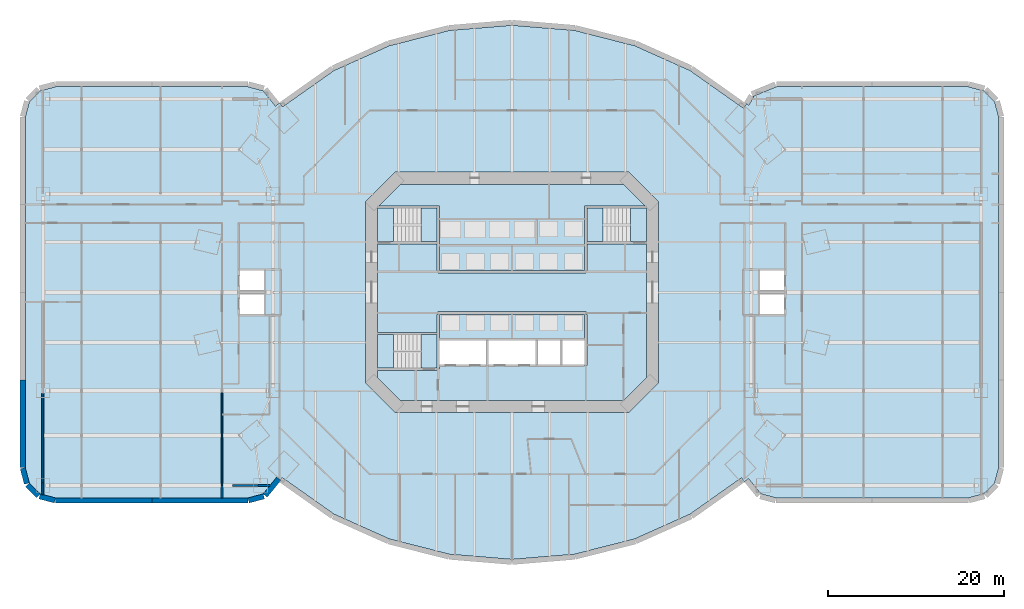
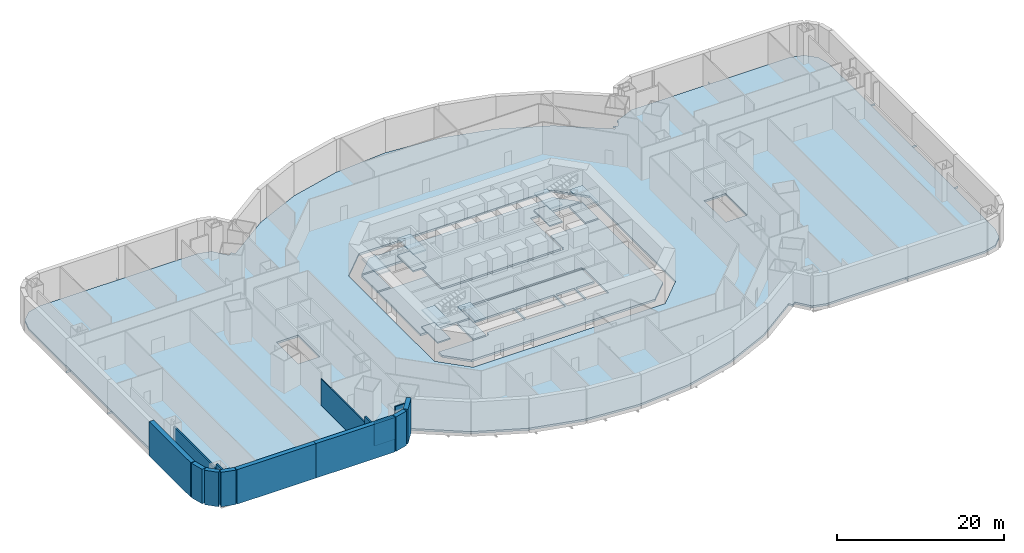
# One storey, part 2 of 11: 15 slabs, 14 walls, 3 elements without a shape of their own.
"""IFC4 building model written with IfcOpenShell, lengths in metres."""

from ifc_helpers import new_model, si_unit, direction, frame, frame_2d, origin, place, context, subcontext, project, spatial, polyline, rectangle, outline, extrude, material, layer, layer_set, type_object, element, aggregate, save


model = new_model("IFC4")

# Units and contexts
model_context = context("Model", 3, precision=1e-05, world=origin(), true_north=direction((0.0, 1.0)))
body_context = subcontext(model_context, "Body", "Model", "MODEL_VIEW")
ifc_project = project(units=[si_unit("LENGTHUNIT", "METRE"), si_unit("AREAUNIT", "SQUARE_METRE"), si_unit("VOLUMEUNIT", "CUBIC_METRE"), si_unit("PLANEANGLEUNIT", "RADIAN"), si_unit("MASSUNIT", "GRAM", prefix="KILO")], contexts=[model_context])

# Site, building, storey
site_placement = place(None, origin())
site = spatial("IfcSite", under=ifc_project, at=site_placement, CompositionType="ELEMENT")
building_placement = place(site_placement, origin())
building = spatial("IfcBuilding", under=site, at=building_placement, Name="Marenthal Gate Tower", CompositionType="ELEMENT")
storey_placement = place(building_placement, frame((0.0, 0.0, -5.0)))
storey = spatial("IfcBuildingStorey", under=building, at=storey_placement, Name="B1", CompositionType="ELEMENT", Elevation=-5.0)

# Slabs
ifc_material_1 = material(Name="Concrete 35 MPa", Category="concrete")
ifc_layer_1 = layer(ifc_material_1, 0.300048828125)
ifc_layer_set_1 = layer_set([ifc_layer_1], Name="BASEMENT FLOOR 300")
slab_type_1 = type_object("IfcSlabType", Name="BASEMENT FLOOR 300", PredefinedType="FLOOR", material=ifc_layer_set_1)
slab_1_placement = place(storey_placement, frame((0.0, 0.0, -0.300048828125)))
element("IfcSlab", 1, at=slab_1_placement, inside=storey, type_object=slab_type_1, Name="SL-B1-11", PredefinedType="FLOOR", context=body_context, shape_type="SweptSolid", body=[
    extrude(outline(polyline([(30.05908203125, -23.39990234375), (28.322998046875, -22.9375), (28.322998046875, -22.9375), (26.916748046875, -21.198486328125), (26.45166015625, -21.574462890625), (26.12353515625, -21.110107421875), (20.26025390625, -25.251953125), (13.9619140625, -28.072509765625), (7.119384765625, -29.811279296875), (7.119384765625, -29.811279296875), (0.0, -30.39892578125), (-7.119384765625, -29.811279296875), (-13.9619140625, -28.072509765625), (-13.9619140625, -28.072509765625), (-20.26025390625, -25.251953125), (-26.149169921875, -21.092041015625), (-26.494140625, -21.580322265625), (-26.936279296875, -21.22265625), (-28.322998046875, -22.9375), (-30.05908203125, -23.39990234375), (-40.99951171875, -23.39990234375), (-40.99951171875, -24.0), (-41.0, -24.0), (-41.0, -23.39990234375), (-51.94091796875, -23.39990234375), (-53.693603515625, -22.932861328125), (-54.932861328125, -21.693603515625), (-55.39990234375, -19.94091796875), (-55.39990234375, -9.99072265625), (-56.0, -9.99072265625), (-56.0, -9.990234375), (-55.39990234375, -9.990234375), (-55.39990234375, -0.00048828125), (-56.0, -0.00048828125), (-56.0, 0.0), (-55.39990234375, 0.0), (-55.39990234375, 9.98974609375), (-56.0, 9.98974609375), (-56.0, 9.990234375), (-55.39990234375, 9.990234375), (-55.39990234375, 19.94091796875), (-54.932861328125, 21.693603515625), (-54.932861328125, 21.693603515625), (-53.693603515625, 22.932861328125), (-51.94091796875, 23.39990234375), (-51.94091796875, 23.39990234375), (-41.00048828125, 23.39990234375), (-41.00048828125, 24.0), (-41.0, 24.0), (-41.0, 23.39990234375), (-30.05908203125, 23.39990234375), (-28.322998046875, 22.9375), (-28.322998046875, 22.9375), (-26.916748046875, 21.198486328125), (-26.45166015625, 21.574462890625), (-26.12353515625, 21.110107421875), (-20.26025390625, 25.251953125), (-13.9619140625, 28.072509765625), (-7.119384765625, 29.811279296875), (-7.119384765625, 29.811279296875), (0.0, 30.39892578125), (7.119384765625, 29.811279296875), (13.9619140625, 28.072509765625), (13.9619140625, 28.072509765625), (20.26025390625, 25.251953125), (26.352783203125, 20.947998046875), (26.698974609375, 21.43798828125), (26.436279296875, 21.623779296875), (26.94970703125, 21.3134765625), (27.510009765625, 22.240234375), (27.41064453125, 22.30029296875), (30.0791015625, 23.39990234375), (40.99951171875, 23.39990234375), (40.99951171875, 24.0), (41.0, 24.0), (41.0, 23.39990234375), (51.94091796875, 23.39990234375), (53.693603515625, 22.932861328125), (54.932861328125, 21.693603515625), (55.39990234375, 19.94091796875), (55.39990234375, 9.99072265625), (56.0, 9.99072265625), (56.0, 9.990234375), (55.39990234375, 9.990234375), (55.39990234375, 0.00048828125), (56.0, 0.00048828125), (56.0, 0.0), (55.39990234375, 0.0), (55.39990234375, -9.98974609375), (56.0, -9.98974609375), (56.0, -9.990234375), (55.39990234375, -9.990234375), (55.39990234375, -19.94091796875), (54.932861328125, -21.693603515625), (54.932861328125, -21.693603515625), (53.693603515625, -22.932861328125), (51.94091796875, -23.39990234375), (51.94091796875, -23.39990234375), (41.00048828125, -23.39990234375), (41.00048828125, -24.0), (41.0, -24.0), (41.0, -23.39990234375), (30.05908203125, -23.39990234375)]), holes=[polyline([(16.699951171875, 10.289794921875), (13.289794921875, 13.699951171875), (-13.289794921875, 13.699951171875), (-16.699951171875, 10.289794921875), (-16.699951171875, -10.289794921875), (-13.289794921875, -13.699951171875), (13.289794921875, -13.699951171875), (16.699951171875, -10.289794921875), (16.699951171875, 10.289794921875)]), polyline([(-28.10009765625, -2.60009765625), (-28.10009765625, 2.60009765625), (-31.10009765625, 2.60009765625), (-31.10009765625, -2.60009765625), (-28.10009765625, -2.60009765625)]), polyline([(31.10009765625, -2.60009765625), (31.10009765625, 2.60009765625), (28.10009765625, 2.60009765625), (28.10009765625, -2.60009765625), (31.10009765625, -2.60009765625)])]), origin(), (0.0, 0.0, 1.0), 0.300048828125),
])
ifc_material_2 = material(Name="Concrete 50 MPa", Category="concrete")
ifc_layer_2 = layer(ifc_material_2, 0.300048828125)
ifc_layer_set_2 = layer_set([ifc_layer_2], Name="Core floor slab 300")
slab_type_2 = type_object("IfcSlabType", Name="Core floor slab 300", PredefinedType="FLOOR", material=ifc_layer_set_2)
slab_2_placement = place(storey_placement, frame((0.0, 0.0, -0.300048828125)))
element("IfcSlab", 2, at=slab_2_placement, inside=storey, type_object=slab_type_2, Name="Core floor B1", PredefinedType="FLOOR", context=body_context, shape_type="SweptSolid", body=[
    extrude(outline(polyline([(15.300048828125, -9.710205078125), (12.710205078125, -12.300048828125), (-12.710205078125, -12.300048828125), (-15.300048828125, -9.710205078125), (-15.300048828125, -8.875), (-8.550048828125, -8.875), (-8.550048828125, -8.75), (-8.25, -8.75), (-8.25, -8.239990234375), (-5.60009765625, -8.239990234375), (-2.909912109375, -8.239990234375), (-2.909912109375, -5.4599609375), (-5.60009765625, -5.4599609375), (-8.25, -5.4599609375), (-8.25, -2.5), (8.25, -2.5), (8.25, -5.4599609375), (5.7099609375, -5.4599609375), (5.7099609375, -8.239990234375), (8.25, -8.239990234375), (8.25, -8.35009765625), (8.550048828125, -8.35009765625), (8.550048828125, -2.5), (8.39990234375, -2.5), (8.39990234375, -2.199951171875), (-8.39990234375, -2.199951171875), (-8.39990234375, -2.5), (-8.550048828125, -2.5), (-8.550048828125, -4.574951171875), (-15.300048828125, -4.574951171875), (-15.300048828125, 5.52490234375), (-8.550048828125, 5.52490234375), (-8.550048828125, 2.5), (-8.39990234375, 2.5), (-8.39990234375, 2.199951171875), (8.39990234375, 2.199951171875), (8.39990234375, 2.5), (8.550048828125, 2.5), (8.550048828125, 5.52490234375), (15.300048828125, 5.52490234375), (15.300048828125, -9.710205078125)]), holes=[polyline([(0.0, -8.239990234375), (2.68994140625, -8.239990234375), (2.68994140625, -5.4599609375), (0.0, -5.4599609375), (-2.68994140625, -5.4599609375), (-2.68994140625, -8.239990234375), (0.0, -8.239990234375)]), polyline([(2.909912109375, -5.4599609375), (2.909912109375, -8.239990234375), (5.489990234375, -8.239990234375), (5.489990234375, -5.4599609375), (2.909912109375, -5.4599609375)])]), origin(), (0.0, 0.0, 1.0), 0.300048828125),
])
slab_3_placement = place(storey_placement, frame((0.0, 0.0, -0.300048828125)))
element("IfcSlab", 3, at=slab_3_placement, inside=storey, type_object=slab_type_2, Name="Core floor B1", PredefinedType="FLOOR", context=body_context, shape_type="SweptSolid", body=[
    extrude(outline(polyline([(15.300048828125, 5.77490234375), (13.5, 5.77490234375), (13.5, 9.574951171875), (15.300048828125, 9.574951171875), (15.300048828125, 5.77490234375)])), origin(), (0.0, 0.0, 1.0), 0.300048828125),
])
slab_4_placement = place(storey_placement, frame((0.0, 0.0, -0.300048828125)))
element("IfcSlab", 4, at=slab_4_placement, inside=storey, type_object=slab_type_2, Name="Core floor B1", PredefinedType="FLOOR", context=body_context, shape_type="SweptSolid", body=[
    extrude(outline(polyline([(12.710205078125, 12.300048828125), (15.18505859375, 9.824951171875), (8.550048828125, 9.824951171875), (8.25, 9.824951171875), (8.25, 8.35009765625), (8.25, 2.5), (-8.25, 2.5), (-8.25, 8.35009765625), (-8.25, 9.824951171875), (-8.550048828125, 9.824951171875), (-15.18505859375, 9.824951171875), (-12.710205078125, 12.300048828125), (12.710205078125, 12.300048828125)])), origin(), (0.0, 0.0, 1.0), 0.300048828125),
])
slab_5_placement = place(storey_placement, frame((0.0, 0.0, -0.300048828125)))
element("IfcSlab", 5, at=slab_5_placement, inside=storey, type_object=slab_type_2, Name="Core floor B1", PredefinedType="FLOOR", context=body_context, shape_type="SweptSolid", body=[
    extrude(outline(polyline([(-15.300048828125, 9.574951171875), (-13.5, 9.574951171875), (-13.5, 5.77490234375), (-15.300048828125, 5.77490234375), (-15.300048828125, 9.574951171875)])), origin(), (0.0, 0.0, 1.0), 0.300048828125),
])
slab_6_placement = place(storey_placement, frame((0.0, 0.0, -0.300048828125)))
element("IfcSlab", 6, at=slab_6_placement, inside=storey, type_object=slab_type_2, Name="Core floor B1", PredefinedType="FLOOR", context=body_context, shape_type="SweptSolid", body=[
    extrude(outline(polyline([(-10.35009765625, -8.625), (-10.35009765625, -4.824951171875), (-8.550048828125, -4.824951171875), (-8.550048828125, -8.625), (-10.35009765625, -8.625)])), origin(), (0.0, 0.0, 1.0), 0.300048828125),
])

# Stair, slabs
ifc_material_3 = material(Name="Concrete 40 MPa", Category="concrete")
stair_type = type_object("IfcStairType", Name="Exit stair 1800", PredefinedType="HALF_TURN_STAIR", material=ifc_material_3)
stair_1_placement = place(storey_placement, origin())
stair_1 = element("IfcStair", 7, at=stair_1_placement, inside=storey, type_object=stair_type, Name="Stair ST1", PredefinedType="HALF_TURN_STAIR")
ifc_material_4 = material(Name="Concrete 40 MPa", Category="concrete")
ifc_layer_3 = layer(ifc_material_4, 0.199951171875)
ifc_layer_set_3 = layer_set([ifc_layer_3], Name="Stair landing 200")
slab_type_3 = type_object("IfcSlabType", Name="Stair landing 200", PredefinedType="LANDING", material=ifc_layer_set_3)
slab_7_placement = place(storey_placement, frame((0.0, 0.0, 1.050048828125)))
slab_7 = element("IfcSlab", 8, at=slab_7_placement, type_object=slab_type_3, Name="ST1 landing 1", PredefinedType="LANDING", context=body_context, shape_type="SweptSolid", body=[
    extrude(outline(polyline([(-10.35009765625, 5.77490234375), (-8.550048828125, 5.77490234375), (-8.550048828125, 9.574951171875), (-10.35009765625, 9.574951171875), (-10.35009765625, 5.77490234375)])), origin(), (0.0, 0.0, 1.0), 0.199951171875),
])
slab_8_placement = place(storey_placement, frame((0.0, 0.0, 2.300048828125)))
slab_8 = element("IfcSlab", 9, at=slab_8_placement, type_object=slab_type_3, Name="ST1 landing 2", PredefinedType="LANDING", context=body_context, shape_type="SweptSolid", body=[
    extrude(outline(polyline([(-15.300048828125, 5.77490234375), (-13.5, 5.77490234375), (-13.5, 9.574951171875), (-15.300048828125, 9.574951171875), (-15.300048828125, 5.77490234375)])), origin(), (0.0, 0.0, 1.0), 0.199951171875),
])
slab_9_placement = place(storey_placement, frame((0.0, 0.0, 3.550048828125)))
slab_9 = element("IfcSlab", 10, at=slab_9_placement, type_object=slab_type_3, Name="ST1 landing 3", PredefinedType="LANDING", context=body_context, shape_type="SweptSolid", body=[
    extrude(outline(polyline([(-10.35009765625, 5.77490234375), (-8.550048828125, 5.77490234375), (-8.550048828125, 9.574951171875), (-10.35009765625, 9.574951171875), (-10.35009765625, 5.77490234375)])), origin(), (0.0, 0.0, 1.0), 0.199951171875),
])
aggregate(stair_1, [slab_7, slab_8, slab_9])

stair_2_placement = place(storey_placement, origin())
stair_2 = element("IfcStair", 11, at=stair_2_placement, inside=storey, type_object=stair_type, Name="Stair ST2", PredefinedType="HALF_TURN_STAIR")
slab_10_placement = place(storey_placement, frame((0.0, 0.0, 1.050048828125)))
slab_10 = element("IfcSlab", 12, at=slab_10_placement, type_object=slab_type_3, Name="ST2 landing 1", PredefinedType="LANDING", context=body_context, shape_type="SweptSolid", body=[
    extrude(outline(polyline([(-15.300048828125, -8.625), (-13.5, -8.625), (-13.5, -4.824951171875), (-15.300048828125, -4.824951171875), (-15.300048828125, -8.625)])), origin(), (0.0, 0.0, 1.0), 0.199951171875),
])
slab_11_placement = place(storey_placement, frame((0.0, 0.0, 2.300048828125)))
slab_11 = element("IfcSlab", 13, at=slab_11_placement, type_object=slab_type_3, Name="ST2 landing 2", PredefinedType="LANDING", context=body_context, shape_type="SweptSolid", body=[
    extrude(outline(polyline([(-10.35009765625, -8.625), (-8.550048828125, -8.625), (-8.550048828125, -4.824951171875), (-10.35009765625, -4.824951171875), (-10.35009765625, -8.625)])), origin(), (0.0, 0.0, 1.0), 0.199951171875),
])
slab_12_placement = place(storey_placement, frame((0.0, 0.0, 3.550048828125)))
slab_12 = element("IfcSlab", 14, at=slab_12_placement, type_object=slab_type_3, Name="ST2 landing 3", PredefinedType="LANDING", context=body_context, shape_type="SweptSolid", body=[
    extrude(outline(polyline([(-15.300048828125, -8.625), (-13.5, -8.625), (-13.5, -4.824951171875), (-15.300048828125, -4.824951171875), (-15.300048828125, -8.625)])), origin(), (0.0, 0.0, 1.0), 0.199951171875),
])
aggregate(stair_2, [slab_10, slab_11, slab_12])

stair_3_placement = place(storey_placement, origin())
stair_3 = element("IfcStair", 15, at=stair_3_placement, inside=storey, type_object=stair_type, Name="Stair ST3", PredefinedType="HALF_TURN_STAIR")
slab_13_placement = place(storey_placement, frame((0.0, 0.0, 1.050048828125)))
slab_13 = element("IfcSlab", 16, at=slab_13_placement, type_object=slab_type_3, Name="ST3 landing 1", PredefinedType="LANDING", context=body_context, shape_type="SweptSolid", body=[
    extrude(outline(polyline([(8.550048828125, 5.77490234375), (10.35009765625, 5.77490234375), (10.35009765625, 9.574951171875), (8.550048828125, 9.574951171875), (8.550048828125, 5.77490234375)])), origin(), (0.0, 0.0, 1.0), 0.199951171875),
])
slab_14_placement = place(storey_placement, frame((0.0, 0.0, 2.300048828125)))
slab_14 = element("IfcSlab", 17, at=slab_14_placement, type_object=slab_type_3, Name="ST3 landing 2", PredefinedType="LANDING", context=body_context, shape_type="SweptSolid", body=[
    extrude(outline(polyline([(13.5, 5.77490234375), (15.300048828125, 5.77490234375), (15.300048828125, 9.574951171875), (13.5, 9.574951171875), (13.5, 5.77490234375)])), origin(), (0.0, 0.0, 1.0), 0.199951171875),
])
slab_15_placement = place(storey_placement, frame((0.0, 0.0, 3.550048828125)))
slab_15 = element("IfcSlab", 18, at=slab_15_placement, type_object=slab_type_3, Name="ST3 landing 3", PredefinedType="LANDING", context=body_context, shape_type="SweptSolid", body=[
    extrude(outline(polyline([(8.550048828125, 5.77490234375), (10.35009765625, 5.77490234375), (10.35009765625, 9.574951171875), (8.550048828125, 9.574951171875), (8.550048828125, 5.77490234375)])), origin(), (0.0, 0.0, 1.0), 0.199951171875),
])
aggregate(stair_3, [slab_13, slab_14, slab_15])

# Walls
ifc_material_5 = material(Name="Concrete 50 MPa", Category="concrete")
ifc_layer_4 = layer(ifc_material_5, 0.60009765625)
ifc_layer_set_4 = layer_set([ifc_layer_4], Name="BASEMENT WALL 600")
wall_type_1 = type_object("IfcWallType", Name="BASEMENT WALL 600", PredefinedType="SOLIDWALL", material=ifc_layer_set_4)
wall_1_placement = place(storey_placement, frame((-55.699951171875, -9.99072265625, -0.300048828125), z_axis=(0.0, 0.0, 1.0), x_axis=(0.0, -1.0, 0.0)))
element("IfcWall", 19, at=wall_1_placement, inside=storey, type_object=wall_type_1, Name="BW-B1-45", PredefinedType="SOLIDWALL", context=body_context, shape_type="SweptSolid", body=[
    extrude(rectangle(XDim=9.9501953125, YDim=0.60009765625, at=frame_2d((4.97509765625, 0.0))), origin(), (0.0, 0.0, 1.0), 5.050048828125),
])
wall_2_placement = place(storey_placement, frame((-55.690185546875, -20.0166015625, -0.300048828125), z_axis=(0.0, 0.0, 1.0), x_axis=(0.257411521733, -0.966301872336, 0.0)))
element("IfcWall", 20, at=wall_2_placement, inside=storey, type_object=wall_type_1, Name="BW-B1-46", PredefinedType="SOLIDWALL", context=body_context, shape_type="SweptSolid", body=[
    extrude(rectangle(XDim=1.8154296875, YDim=0.60009765625, at=frame_2d((0.90771484375, 0.0))), origin(), (0.0, 0.0, 1.0), 5.050048828125),
])
wall_3_placement = place(storey_placement, frame((-55.146484375, -21.904052734375, -0.300048828125), z_axis=(0.0, 0.0, 1.0), x_axis=(0.707037214875, -0.707176340655, 0.0)))
element("IfcWall", 21, at=wall_3_placement, inside=storey, type_object=wall_type_1, Name="BW-B1-47", PredefinedType="SOLIDWALL", context=body_context, shape_type="SweptSolid", body=[
    extrude(rectangle(XDim=1.7548828125, YDim=0.60009765625, at=frame_2d((0.87744140625, 0.0))), origin(), (0.0, 0.0, 1.0), 5.050048828125),
])
wall_4_placement = place(storey_placement, frame((-53.77294921875, -23.22216796875, -0.300048828125), z_axis=(0.0, 0.0, 1.0), x_axis=(0.966252788837, -0.257595706611, 0.0)))
element("IfcWall", 22, at=wall_4_placement, inside=storey, type_object=wall_type_1, Name="BW-B1-48", PredefinedType="SOLIDWALL", context=body_context, shape_type="SweptSolid", body=[
    extrude(rectangle(XDim=1.81591796875, YDim=0.60009765625, at=frame_2d((0.907958984375, 0.0))), origin(), (0.0, 0.0, 1.0), 5.050048828125),
])
wall_5_placement = place(storey_placement, frame((-51.94287109375, -23.699951171875, -0.300048828125), z_axis=(0.0, 0.0, 1.0), x_axis=(1.0, 0.0, 0.0)))
element("IfcWall", 23, at=wall_5_placement, inside=storey, type_object=wall_type_1, Name="BW-B1-49", PredefinedType="SOLIDWALL", context=body_context, shape_type="SweptSolid", body=[
    extrude(rectangle(XDim=10.94287109375, YDim=0.60009765625, at=frame_2d((5.471435546875, 0.0))), origin(), (0.0, 0.0, 1.0), 5.050048828125),
])
wall_6_placement = place(storey_placement, frame((-40.99951171875, -23.699951171875, -0.300048828125), z_axis=(0.0, 0.0, 1.0), x_axis=(1.0, 0.0, 0.0)))
element("IfcWall", 24, at=wall_6_placement, inside=storey, type_object=wall_type_1, Name="BW-B1-50", PredefinedType="SOLIDWALL", context=body_context, shape_type="SweptSolid", body=[
    extrude(rectangle(XDim=10.9404296875, YDim=0.60009765625, at=frame_2d((5.47021484375, 0.0))), origin(), (0.0, 0.0, 1.0), 5.050048828125),
])
wall_7_placement = place(storey_placement, frame((-29.9833984375, -23.690185546875, -0.300048828125), z_axis=(0.0, 0.0, 1.0), x_axis=(0.966298008557, 0.257426025604, 0.0)))
element("IfcWall", 25, at=wall_7_placement, inside=storey, type_object=wall_type_1, Name="BW-B1-51", PredefinedType="SOLIDWALL", context=body_context, shape_type="SweptSolid", body=[
    extrude(rectangle(XDim=1.798095703125, YDim=0.60009765625, at=frame_2d((0.89892578125, 0.0))), origin(), (0.0, 0.0, 1.0), 5.050048828125),
])
wall_8_placement = place(storey_placement, frame((-28.09130859375, -23.1279296875, -0.300048828125), z_axis=(0.0, 0.0, 1.0), x_axis=(0.628882550207, 0.777500313856, 0.0)))
element("IfcWall", 26, at=wall_8_placement, inside=storey, type_object=wall_type_1, Name="BW-B1-52", PredefinedType="SOLIDWALL", context=body_context, shape_type="SweptSolid", body=[
    extrude(rectangle(XDim=2.44775390625, YDim=0.60009765625, at=frame_2d((1.223876953125, 0.0))), origin(), (0.0, 0.0, 1.0), 5.050048828125),
])
ifc_material_6 = material(Name="Gypsum board on steel studs", Category="steel")
ifc_layer_5 = layer(ifc_material_6, 0.14990234375)
ifc_layer_set_5 = layer_set([ifc_layer_5], Name="Partition 150")
wall_type_2 = type_object("IfcWallType", Name="Partition 150", PredefinedType="PARTITIONING", material=ifc_layer_set_5)
wall_9_placement = place(storey_placement, frame((-33.0, -22.0048828125, 0.0), z_axis=(0.0, 0.0, 1.0), x_axis=(0.0, 1.0, 0.0)))
element("IfcWall", 27, at=wall_9_placement, inside=storey, type_object=wall_type_2, Name="Partition wall 73", PredefinedType="PARTITIONING", context=body_context, shape_type="SweptSolid", body=[
    extrude(rectangle(XDim=10.56494140625, YDim=0.14990234375, at=frame_2d((5.282470703125, 0.0))), origin(), (0.0, 0.0, 1.0), 3.845947265625),
])
ifc_material_7 = material(Name="Gypsum board on steel studs", Category="steel")
ifc_layer_6 = layer(ifc_material_7, 0.199951171875)
ifc_layer_set_6 = layer_set([ifc_layer_6], Name="Partition 200")
wall_type_3 = type_object("IfcWallType", Name="Partition 200", PredefinedType="PARTITIONING", material=ifc_layer_set_6)
wall_10_placement = place(storey_placement, frame((-31.800048828125, -22.0, 0.0), z_axis=(0.0, 0.0, 1.0), x_axis=(1.0, 0.0, 0.0)))
element("IfcWall", 28, at=wall_10_placement, inside=storey, type_object=wall_type_3, Name="Partition wall 16", PredefinedType="PARTITIONING", context=body_context, shape_type="SweptSolid", body=[
    extrude(rectangle(XDim=2.900146484375, YDim=0.199951171875, at=frame_2d((1.4501953125, 0.0))), origin(), (0.0, 0.0, 1.0), 3.449951171875),
])
wall_11_placement = place(storey_placement, frame((-28.89990234375, -22.0, 0.0), z_axis=(0.0, 0.0, 1.0), x_axis=(1.0, 0.0, 0.0)))
element("IfcWall", 29, at=wall_11_placement, inside=storey, type_object=wall_type_3, Name="Partition wall 159", PredefinedType="PARTITIONING", context=body_context, shape_type="SweptSolid", body=[
    extrude(rectangle(XDim=1.327880859375, YDim=0.199951171875, at=frame_2d((0.6640625, 0.0))), origin(), (0.0, 0.0, 1.0), 4.75),
])
wall_12_placement = place(storey_placement, frame((-33.0, -23.409912109375, 0.0), z_axis=(0.0, 0.0, 1.0), x_axis=(0.0, 1.0, 0.0)))
element("IfcWall", 30, at=wall_12_placement, inside=storey, type_object=wall_type_3, Name="Partition wall 41", PredefinedType="PARTITIONING", context=body_context, shape_type="SweptSolid", body=[
    extrude(rectangle(XDim=1.414794921875, YDim=0.199951171875, at=frame_2d((0.70751953125, 0.0))), origin(), (0.0, 0.0, 1.0), 4.75),
])
wall_13_placement = place(storey_placement, frame((-53.39990234375, -23.015380859375, 0.0), z_axis=(0.0, 0.0, 1.0), x_axis=(0.0, 1.0, 0.0)))
element("IfcWall", 31, at=wall_13_placement, inside=storey, type_object=wall_type_3, Name="Partition wall 43", PredefinedType="PARTITIONING", context=body_context, shape_type="SweptSolid", body=[
    extrude(rectangle(XDim=1.3154296875, YDim=0.199951171875, at=frame_2d((0.65771484375, 0.0))), origin(), (0.0, 0.0, 1.0), 4.75),
])
wall_14_placement = place(storey_placement, frame((-53.39990234375, -21.699951171875, 0.0), z_axis=(0.0, 0.0, 1.0), x_axis=(0.0, 1.0, 0.0)))
element("IfcWall", 32, at=wall_14_placement, inside=storey, type_object=wall_type_3, Name="Partition wall 168", PredefinedType="PARTITIONING", context=body_context, shape_type="SweptSolid", body=[
    extrude(rectangle(XDim=10.199951171875, YDim=0.199951171875, at=frame_2d((5.10009765625, 0.0))), origin(), (0.0, 0.0, 1.0), 4.06689453125),
])

save(model, "model.ifc")
